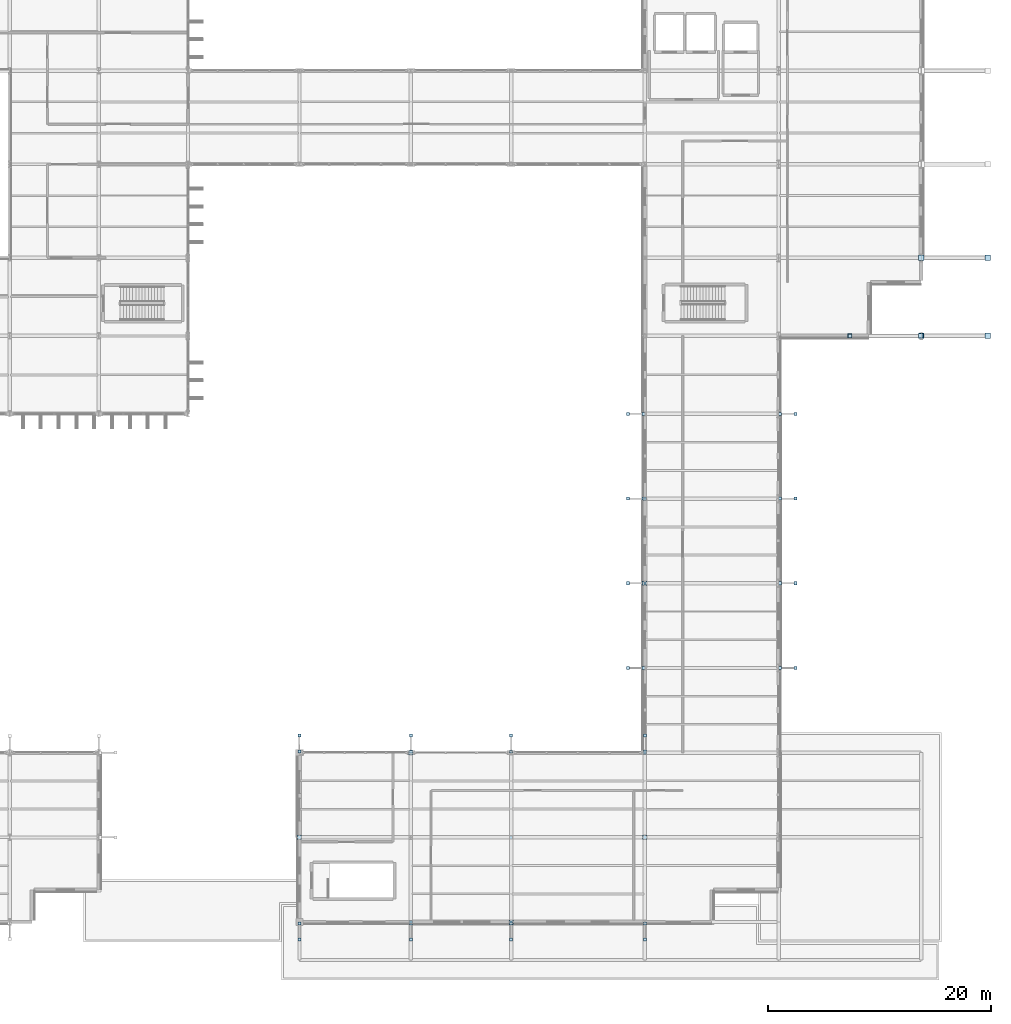
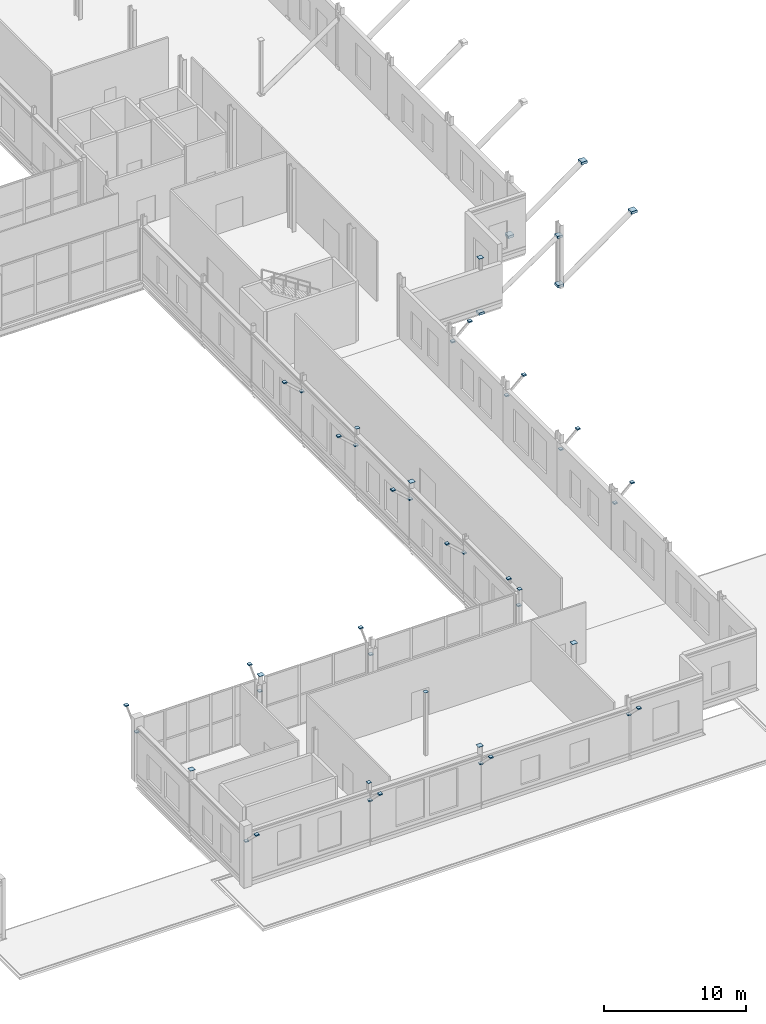
# One storey, part 111 of 147: 48 plates.
"""IFC4 building model written with IfcOpenShell, lengths in metres."""

import ifcopenshell
import ifcopenshell.guid

model = None  # the IFC model being written
_history = None  # IfcOwnerHistory: only IFC2X3 demands one
_inside = {}  # id of a spatial element -> (the spatial element, [elements in it])
_under = {}  # id of a project, library or spatial element -> (it, [spatial elements below it])
_declared = {}  # id of a project -> (the project, [libraries it declares])
_typed = {}  # id of a type object -> (the type object, [elements of that type])
_made_of = {}  # id of a material, layer set ... -> (it, [elements and type objects made of it])


def new_model(schema):
    """Start an empty IFC model of exactly this schema.

    Asked for "IFC4X3", IfcOpenShell would pick the latest addendum, in which some entities
    have other attributes; the version numbers below select the first issue.
    IFC2X3 requires an IfcOwnerHistory on every rooted entity: one is made here for all.
    """
    global model, _history
    if schema == "IFC4X3":
        model = ifcopenshell.file(schema_version=(4, 3, 0, 0))
    else:
        model = ifcopenshell.file(schema=schema)
    _inside.clear()
    _under.clear()
    _declared.clear()
    _typed.clear()
    _made_of.clear()
    _history = None
    if model.schema == "IFC2X3":
        org = make("IfcOrganization", Name="unknown")
        user = make(
            "IfcPersonAndOrganization",
            ThePerson=make("IfcPerson", FamilyName="unknown"),
            TheOrganization=org,
        )
        app = make(
            "IfcApplication",
            ApplicationDeveloper=org,
            Version="unknown",
            ApplicationFullName="unknown",
            ApplicationIdentifier="unknown",
        )
        _history = make(
            "IfcOwnerHistory",
            OwningUser=user,
            OwningApplication=app,
            ChangeAction="ADDED",
            CreationDate=0,
        )
    return model


def make(cls, **values):
    """One entity of the class cls with the attributes given. An attribute that is None is left unset."""
    return model.create_entity(
        cls, **{name: value for name, value in values.items() if value is not None}
    )


def rooted(cls, **values):
    """An entity with a GlobalId (a new one), such as an element, a storey or a relation."""
    return make(cls, GlobalId=ifcopenshell.guid.new(), OwnerHistory=_history, **values)


def si_unit(unit_type, name, prefix=None):
    """IfcSIUnit, for example si_unit("LENGTHUNIT", "METRE", prefix="MILLI")."""
    return make("IfcSIUnit", UnitType=unit_type, Prefix=prefix, Name=name)


def assignment(units):
    """IfcUnitAssignment: the units of a project."""
    return None if units is None else make("IfcUnitAssignment", Units=units)


def point(xyz):
    """IfcCartesianPoint."""
    return None if xyz is None else make("IfcCartesianPoint", Coordinates=xyz)


def direction(xyz):
    """IfcDirection."""
    return None if xyz is None else make("IfcDirection", DirectionRatios=xyz)


def frame(location, z_axis=None, x_axis=None):
    """IfcAxis2Placement3D, a coordinate frame: its origin and axes. An axis left out is left unset."""
    return make(
        "IfcAxis2Placement3D",
        Location=point(location),
        Axis=direction(z_axis),
        RefDirection=direction(x_axis),
    )


def frame_2d(location, x_axis=None):
    """IfcAxis2Placement2D, a coordinate frame in the plane: its origin and x axis."""
    return make(
        "IfcAxis2Placement2D", Location=point(location), RefDirection=direction(x_axis)
    )


def origin():
    """The frame at (0, 0, 0) with its axes left unset."""
    return frame((0.0, 0.0, 0.0))


def origin_2d():
    """The frame at (0, 0) in the plane with its x axis left unset."""
    return frame_2d((0.0, 0.0))


def place(relative_to, where):
    """IfcLocalPlacement: puts the frame where relative to a parent placement (None: the world)."""
    return make(
        "IfcLocalPlacement", PlacementRelTo=relative_to, RelativePlacement=where
    )


def context(
    kind, dimensions, precision=None, world=None, true_north=None, identifier=None
):
    """IfcGeometricRepresentationContext, for example the 3D "Model" context."""
    return make(
        "IfcGeometricRepresentationContext",
        ContextIdentifier=identifier,
        ContextType=kind,
        CoordinateSpaceDimension=dimensions,
        Precision=precision,
        WorldCoordinateSystem=world,
        TrueNorth=true_north,
    )


def subcontext(parent, identifier, kind, view, scale=None):
    """IfcGeometricRepresentationSubContext, for example "Body" below "Model"."""
    return make(
        "IfcGeometricRepresentationSubContext",
        ContextIdentifier=identifier,
        ContextType=kind,
        ParentContext=parent,
        TargetScale=scale,
        TargetView=view,
    )


def project(units=None, contexts=None):
    """IfcProject with its units and contexts."""
    return rooted(
        "IfcProject",
        Name="project",
        RepresentationContexts=contexts,
        UnitsInContext=assignment(units),
    )


def spatial(cls, under=None, at=None, **own):
    """A site, building, storey or space (cls), placed at a placement, below another one or the project."""
    s = rooted(cls, ObjectPlacement=at, **own)
    if under is not None:
        _under.setdefault(under.id(), (under, []))[1].append(s)
    return s


def profile(cls, at=None, kind="AREA", **sizes):
    """A parametric profile (cls). Its sizes go by their IFC names, for example OverallWidth=200.0."""
    return make(cls, ProfileType=kind, Position=at, **sizes)


def rectangle(**sizes):
    """IfcRectangleProfileDef."""
    return profile("IfcRectangleProfileDef", **sizes)


def extrude(swept, where, along, depth):
    """IfcExtrudedAreaSolid: the profile swept, set in the frame where, extruded along a direction by depth."""
    return make(
        "IfcExtrudedAreaSolid",
        SweptArea=swept,
        Position=where,
        ExtrudedDirection=direction(along),
        Depth=depth,
    )


def shape(context_of_items, identifier, shape_type, items):
    """IfcShapeRepresentation: the items that make up one representation, for example the "Body"."""
    return make(
        "IfcShapeRepresentation",
        ContextOfItems=context_of_items,
        RepresentationIdentifier=identifier,
        RepresentationType=shape_type,
        Items=items,
    )


def material(Name=None, Category=None):
    """IfcMaterial."""
    return make("IfcMaterial", Name=Name, Category=Category)


def layer(
    of_material, thickness, ventilated=None, Name=None, Category=None, Priority=None
):
    """IfcMaterialLayer: one layer of a wall or slab, of a material (None: an air gap)."""
    return make(
        "IfcMaterialLayer",
        Material=of_material,
        LayerThickness=thickness,
        IsVentilated=ventilated,
        Name=Name,
        Category=Category,
        Priority=Priority,
    )


def layer_set(layers, Name=None):
    """IfcMaterialLayerSet."""
    return make("IfcMaterialLayerSet", MaterialLayers=layers, LayerSetName=Name)


def made_of(thing, what):
    """Note that an element or type object is made of a material, layer set ...; save() writes the relation."""
    if what is not None:
        _made_of.setdefault(what.id(), (what, []))[1].append(thing)
    return thing


def type_object(cls, material=None, **own):
    """A type object (cls), such as IfcWallType, which elements share."""
    return made_of(rooted(cls, **own), material)


def element(
    cls,
    number,
    at=None,
    inside=None,
    cuts=None,
    type_object=None,
    material=None,
    context=None,
    identifier="Body",
    shape_type=None,
    held_by="IfcProductDefinitionShape",
    body=None,
    shapes=None,
    **own,
):
    """One element of the class cls, such as IfcWall. Its Tag is "e" and its number.

    at: its placement. inside: the storey or other place that contains it. cuts: it is an
    opening in that element (IfcRelVoidsElement). A single representation is given by context,
    identifier, shape_type and body (its items); several are given by shapes. held_by: the class
    of the entity that holds the representations. save() writes the other relations.
    """
    e = rooted(cls, Tag="e%d" % number, ObjectPlacement=at, **own)
    if body is not None:
        shapes = [shape(context, identifier, shape_type, body)]
    if shapes is not None:
        e.Representation = make(held_by, Representations=shapes)
    if inside is not None:
        _inside.setdefault(inside.id(), (inside, []))[1].append(e)
    if cuts is not None:
        rooted(
            "IfcRelVoidsElement", RelatingBuildingElement=cuts, RelatedOpeningElement=e
        )
    if type_object is not None:
        _typed.setdefault(type_object.id(), (type_object, []))[1].append(e)
    return made_of(e, material)


def aggregate(whole, parts):
    """IfcRelAggregates: a whole, such as a stair, and the parts it consists of."""
    return rooted("IfcRelAggregates", RelatingObject=whole, RelatedObjects=parts)


def save(model, path):
    """Write the relations noted so far, then the file.

    IfcRelAggregates (storeys below a building ...), IfcRelContainedInSpatialStructure (elements
    in a storey), IfcRelDefinesByType, IfcRelAssociatesMaterial and IfcRelDeclares: one each for
    every whole, place, type object, material and project.
    """
    for whole, parts in _under.values():
        aggregate(whole, parts)
    for where, things in _inside.values():
        rooted(
            "IfcRelContainedInSpatialStructure",
            RelatedElements=things,
            RelatingStructure=where,
        )
    for kind, things in _typed.values():
        rooted("IfcRelDefinesByType", RelatedObjects=things, RelatingType=kind)
    for what, things in _made_of.values():
        rooted("IfcRelAssociatesMaterial", RelatedObjects=things, RelatingMaterial=what)
    for by, libraries in _declared.values():
        rooted("IfcRelDeclares", RelatingContext=by, RelatedDefinitions=libraries)
    model.write(path)


model = new_model("IFC4")

# Units and contexts
model_context = context("Model", 3, precision=1e-05, world=origin(), true_north=direction((0.0, 1.0)))
body_context = subcontext(model_context, "Body", "Model", "MODEL_VIEW")
ifc_project = project(units=[si_unit("LENGTHUNIT", "METRE"), si_unit("AREAUNIT", "SQUARE_METRE"), si_unit("VOLUMEUNIT", "CUBIC_METRE"), si_unit("PLANEANGLEUNIT", "RADIAN"), si_unit("MASSUNIT", "GRAM", prefix="KILO")], contexts=[model_context])

# Site, building, storey
site_placement = place(None, origin())
site = spatial("IfcSite", under=ifc_project, at=site_placement, CompositionType="ELEMENT")
building_placement = place(site_placement, origin())
building = spatial("IfcBuilding", under=site, at=building_placement, Name="Vekula Escarpment Museum", CompositionType="ELEMENT")
storey_placement = place(building_placement, frame((0.0, 0.0, 7.800048828125)))
storey = spatial("IfcBuildingStorey", under=building, at=storey_placement, Name="L02", CompositionType="ELEMENT", Elevation=7.800048828125)

# Plates
ifc_material_1 = material(Name="Steel S355", Category="steel")
ifc_layer_1 = layer(ifc_material_1, 0.01611328125)
ifc_layer_set_1 = layer_set([ifc_layer_1], Name="Steel S355")
plate_type_1 = type_object("IfcPlateType", Name="PL-CAP-16", PredefinedType="SHEET", material=ifc_layer_set_1)
for number, where, z_axis, x_axis, name in (
    (1, (166.88525390625, 22.800048828125, 3.89404296875), (0.0, 0.0, 1.0), (1.0, 0.0, 0.0), "Hollow section end cap CP-16"),
    (2, (165.49462890625, 22.800048828125, 5.163818359375), (0.0, 0.0, 1.0), (1.0, 0.0, 0.0), "Hollow section end cap CP-16"),
    (3, (166.88525390625, 30.39990234375, 3.89404296875), (0.0, 0.0, 1.0), (1.0, 0.0, 0.0), "Hollow section end cap CP-16"),
    (4, (165.49462890625, 30.39990234375, 5.163818359375), (0.0, 0.0, 1.0), (1.0, 0.0, 0.0), "Hollow section end cap CP-16"),
    (5, (166.88525390625, 38.0, 3.89404296875), (0.0, 0.0, 1.0), (1.0, 0.0, 0.0), "Hollow section end cap CP-16"),
    (6, (165.49462890625, 38.0, 5.163818359375), (0.0, 0.0, 1.0), (1.0, 0.0, 0.0), "Hollow section end cap CP-16"),
    (7, (166.88525390625, 45.60009765625, 3.89404296875), (0.0, 0.0, 1.0), (1.0, 0.0, 0.0), "Hollow section end cap CP-16"),
    (8, (165.49462890625, 45.60009765625, 5.163818359375), (0.0, 0.0, 1.0), (1.0, 0.0, 0.0), "Hollow section end cap CP-16"),
    (9, (179.11474609375, 22.800048828125, 3.89404296875), (0.0, 0.0, 1.0), (1.0, 0.0, 0.0), "Hollow section end cap CP-16"),
    (10, (180.50537109375, 22.800048828125, 5.163818359375), (0.0, 0.0, 1.0), (1.0, 0.0, 0.0), "Hollow section end cap CP-16"),
    (11, (179.11474609375, 30.39990234375, 3.89404296875), (0.0, 0.0, 1.0), (1.0, 0.0, 0.0), "Hollow section end cap CP-16"),
    (12, (180.50537109375, 30.39990234375, 5.163818359375), (0.0, 0.0, 1.0), (1.0, 0.0, 0.0), "Hollow section end cap CP-16"),
    (13, (179.11474609375, 38.0, 3.89404296875), (0.0, 0.0, 1.0), (1.0, 0.0, 0.0), "Hollow section end cap CP-16"),
    (14, (180.50537109375, 38.0, 5.163818359375), (0.0, 0.0, 1.0), (1.0, 0.0, 0.0), "Hollow section end cap CP-16"),
    (15, (179.11474609375, 45.60009765625, 3.89404296875), (0.0, 0.0, 1.0), (1.0, 0.0, 0.0), "Hollow section end cap CP-16"),
    (16, (180.50537109375, 45.60009765625, 5.163818359375), (0.0, 0.0, 1.0), (1.0, 0.0, 0.0), "Hollow section end cap CP-16"),
):
    element("IfcPlate", number, at=place(storey_placement, frame(where, z_axis=z_axis, x_axis=x_axis)), inside=storey, type_object=plate_type_1, Name=name, PredefinedType="SHEET", context=body_context, shape_type="SweptSolid", body=[
        extrude(rectangle(XDim=0.280029296875, YDim=0.280029296875, at=origin_2d()), origin(), (0.0, 0.0, 1.0), 0.10205078125),
    ])
for number, where, z_axis, x_axis, name in (
    (17, (136.0, -0.11474609375, 3.897216796875), (0.0, 0.0, 1.0), (1.0, 0.0, 0.0), "Hollow section end cap CP-16"),
    (18, (136.0, -1.55517578125, 5.307373046875), (0.0, 0.0, 1.0), (1.0, 0.0, 0.0), "Hollow section end cap CP-16"),
    (19, (136.0, 15.31494140625, 3.897216796875), (0.0, 0.0, 1.0), (1.0, 0.0, 0.0), "Hollow section end cap CP-16"),
    (20, (136.0, 16.755126953125, 5.307373046875), (0.0, 0.0, 1.0), (1.0, 0.0, 0.0), "Hollow section end cap CP-16"),
    (21, (146.0, -0.11474609375, 3.897216796875), (0.0, 0.0, 1.0), (1.0, 0.0, 0.0), "Hollow section end cap CP-16"),
    (22, (146.0, -1.55517578125, 5.307373046875), (0.0, 0.0, 1.0), (1.0, 0.0, 0.0), "Hollow section end cap CP-16"),
    (23, (146.0, 15.31494140625, 3.897216796875), (0.0, 0.0, 1.0), (1.0, 0.0, 0.0), "Hollow section end cap CP-16"),
    (24, (146.0, 16.755126953125, 5.307373046875), (0.0, 0.0, 1.0), (1.0, 0.0, 0.0), "Hollow section end cap CP-16"),
    (25, (155.0, -0.11474609375, 3.897216796875), (0.0, 0.0, 1.0), (1.0, 0.0, 0.0), "Hollow section end cap CP-16"),
    (26, (155.0, -1.55517578125, 5.307373046875), (0.0, 0.0, 1.0), (1.0, 0.0, 0.0), "Hollow section end cap CP-16"),
    (27, (155.0, 15.31494140625, 3.897216796875), (0.0, 0.0, 1.0), (1.0, 0.0, 0.0), "Hollow section end cap CP-16"),
    (28, (155.0, 16.755126953125, 5.307373046875), (0.0, 0.0, 1.0), (1.0, 0.0, 0.0), "Hollow section end cap CP-16"),
    (29, (167.0, -0.11474609375, 3.897216796875), (0.0, 0.0, 1.0), (1.0, 0.0, 0.0), "Hollow section end cap CP-16"),
    (30, (167.0, -1.55517578125, 5.307373046875), (0.0, 0.0, 1.0), (1.0, 0.0, 0.0), "Hollow section end cap CP-16"),
    (31, (167.0, 15.31494140625, 3.897216796875), (0.0, 0.0, 1.0), (1.0, 0.0, 0.0), "Hollow section end cap CP-16"),
    (32, (167.0, 16.755126953125, 5.307373046875), (0.0, 0.0, 1.0), (1.0, 0.0, 0.0), "Hollow section end cap CP-16"),
):
    element("IfcPlate", number, at=place(storey_placement, frame(where, z_axis=z_axis, x_axis=x_axis)), inside=storey, type_object=plate_type_1, Name=name, PredefinedType="SHEET", context=body_context, shape_type="SweptSolid", body=[
        extrude(rectangle(XDim=0.280029296875, YDim=0.280029296875, at=origin_2d()), origin(), (0.0, 0.0, 1.0), 0.09521484375),
    ])
ifc_material_2 = material(Name="Steel S355", Category="steel")
ifc_layer_2 = layer(ifc_material_2, 0.02001953125)
ifc_layer_set_2 = layer_set([ifc_layer_2], Name="Steel S355")
plate_type_2 = type_object("IfcPlateType", Name="PL-CAP-20", PredefinedType="SHEET", material=ifc_layer_set_2)
plate_1_placement = place(storey_placement, frame((136.0, 7.60009765625, 5.39794921875), z_axis=(0.0, 0.0, 1.0), x_axis=(1.0, 0.0, 0.0)))
element("IfcPlate", 33, at=plate_1_placement, inside=storey, type_object=plate_type_2, Name="Hollow section end cap CP-20", PredefinedType="SHEET", context=body_context, shape_type="SweptSolid", body=[
    extrude(rectangle(XDim=0.3955078125, YDim=0.3955078125, at=origin_2d()), origin(), (0.0, 0.0, 1.0), 0.02001953125),
])
plate_2_placement = place(storey_placement, frame((146.0, 0.0, 5.39794921875), z_axis=(0.0, 0.0, 1.0), x_axis=(1.0, 0.0, 0.0)))
element("IfcPlate", 34, at=plate_2_placement, inside=storey, type_object=plate_type_2, Name="Hollow section end cap CP-20", PredefinedType="SHEET", context=body_context, shape_type="SweptSolid", body=[
    extrude(rectangle(XDim=0.300048828125, YDim=0.300048828125, at=origin_2d()), origin(), (0.0, 0.0, 1.0), 0.02001953125),
])
for number, where, z_axis, x_axis, name in (
    (35, (146.0, 15.199951171875, 5.39794921875), (0.0, 0.0, 1.0), (1.0, 0.0, 0.0), "Hollow section end cap CP-20"),
    (36, (155.0, 0.0, 5.39794921875), (0.0, 0.0, 1.0), (1.0, 0.0, 0.0), "Hollow section end cap CP-20"),
):
    element("IfcPlate", number, at=place(storey_placement, frame(where, z_axis=z_axis, x_axis=x_axis)), inside=storey, type_object=plate_type_2, Name=name, PredefinedType="SHEET", context=body_context, shape_type="SweptSolid", body=[
        extrude(rectangle(XDim=0.3955078125, YDim=0.3955078125, at=origin_2d()), origin(), (0.0, 0.0, 1.0), 0.02001953125),
    ])
plate_3_placement = place(storey_placement, frame((155.0, 7.60009765625, 5.39794921875), z_axis=(0.0, 0.0, 1.0), x_axis=(1.0, 0.0, 0.0)))
element("IfcPlate", 37, at=plate_3_placement, inside=storey, type_object=plate_type_2, Name="Hollow section end cap CP-20", PredefinedType="SHEET", context=body_context, shape_type="SweptSolid", body=[
    extrude(rectangle(XDim=0.300048828125, YDim=0.300048828125, at=origin_2d()), origin(), (0.0, 0.0, 1.0), 0.02001953125),
])
plate_4_placement = place(storey_placement, frame((167.0, 7.60009765625, 5.39794921875), z_axis=(0.0, 0.0, 1.0), x_axis=(1.0, 0.0, 0.0)))
element("IfcPlate", 38, at=plate_4_placement, inside=storey, type_object=plate_type_2, Name="Hollow section end cap CP-20", PredefinedType="SHEET", context=body_context, shape_type="SweptSolid", body=[
    extrude(rectangle(XDim=0.3955078125, YDim=0.3955078125, at=origin_2d()), origin(), (0.0, 0.0, 1.0), 0.02001953125),
])
plate_5_placement = place(storey_placement, frame((167.0, 15.199951171875, 5.39794921875), z_axis=(0.0, 0.0, 1.0), x_axis=(1.0, 0.0, 0.0)))
element("IfcPlate", 39, at=plate_5_placement, inside=storey, type_object=plate_type_2, Name="Hollow section end cap CP-20", PredefinedType="SHEET", context=body_context, shape_type="SweptSolid", body=[
    extrude(rectangle(XDim=0.300048828125, YDim=0.300048828125, at=origin_2d()), origin(), (0.0, 0.0, 1.0), 0.02001953125),
])
plate_6_placement = place(storey_placement, frame((167.0, 30.39990234375, 5.39794921875), z_axis=(0.0, 0.0, 1.0), x_axis=(1.0, 0.0, 0.0)))
element("IfcPlate", 40, at=plate_6_placement, inside=storey, type_object=plate_type_2, Name="Hollow section end cap CP-20", PredefinedType="SHEET", context=body_context, shape_type="SweptSolid", body=[
    extrude(rectangle(XDim=0.3955078125, YDim=0.3955078125, at=origin_2d()), origin(), (0.0, 0.0, 1.0), 0.02001953125),
])
plate_7_placement = place(storey_placement, frame((167.0, 38.0, 5.39794921875), z_axis=(0.0, 0.0, 1.0), x_axis=(1.0, 0.0, 0.0)))
element("IfcPlate", 41, at=plate_7_placement, inside=storey, type_object=plate_type_2, Name="Hollow section end cap CP-20", PredefinedType="SHEET", context=body_context, shape_type="SweptSolid", body=[
    extrude(rectangle(XDim=0.300048828125, YDim=0.300048828125, at=origin_2d()), origin(), (0.0, 0.0, 1.0), 0.02001953125),
])
ifc_material_3 = material(Name="Steel S355", Category="steel")
ifc_layer_3 = layer(ifc_material_3, 0.02392578125)
ifc_layer_set_3 = layer_set([ifc_layer_3], Name="Steel S355")
plate_type_3 = type_object("IfcPlateType", Name="PL-CAP-24", PredefinedType="SHEET", material=ifc_layer_set_3)
for number, where, z_axis, x_axis, name in (
    (42, (191.811279296875, 52.60009765625, 0.0361328125), (0.0, 0.0, 1.0), (1.0, 0.0, 0.0), "Hollow section end cap CP-24"),
    (43, (197.7587890625, 52.60009765625, 4.27880859375), (0.0, 0.0, 1.0), (1.0, 0.0, 0.0), "Hollow section end cap CP-24"),
    (44, (191.811279296875, 59.60009765625, 0.0361328125), (0.0, 0.0, 1.0), (1.0, 0.0, 0.0), "Hollow section end cap CP-24"),
    (45, (197.7587890625, 59.60009765625, 4.27880859375), (0.0, 0.0, 1.0), (1.0, 0.0, 0.0), "Hollow section end cap CP-24"),
):
    element("IfcPlate", number, at=place(storey_placement, frame(where, z_axis=z_axis, x_axis=x_axis)), inside=storey, type_object=plate_type_3, Name=name, PredefinedType="SHEET", context=body_context, shape_type="SweptSolid", body=[
        extrude(rectangle(XDim=0.47998046875, YDim=0.47998046875, at=origin_2d()), origin(), (0.0, 0.0, 1.0), 0.215087890625),
    ])
for number, where, z_axis, x_axis, name in (
    (46, (185.39111328125, 52.60009765625, -0.08447265625), (0.0, 0.0, 1.0), (1.0, 0.0, 0.0), "Hollow section end cap CP-24"),
    (47, (191.759033203125, 52.60009765625, 4.25732421875), (0.0, 0.0, 1.0), (1.0, 0.0, 0.0), "Hollow section end cap CP-24"),
):
    element("IfcPlate", number, at=place(storey_placement, frame(where, z_axis=z_axis, x_axis=x_axis)), inside=storey, type_object=plate_type_3, Name=name, PredefinedType="SHEET", context=body_context, shape_type="SweptSolid", body=[
        extrude(rectangle(XDim=0.419921875, YDim=0.419921875, at=origin_2d()), origin(), (0.0, 0.0, 1.0), 0.197021484375),
    ])
ifc_material_4 = material(Name="Steel S355", Category="steel")
ifc_layer_4 = layer(ifc_material_4, 0.031982421875)
ifc_layer_set_4 = layer_set([ifc_layer_4], Name="Steel S355")
plate_type_4 = type_object("IfcPlateType", Name="PL-CAP-32", PredefinedType="SHEET", material=ifc_layer_set_4)
plate_8_placement = place(storey_placement, frame((185.39990234375, 52.60009765625, 4.6982421875), z_axis=(0.0, 0.0, 1.0), x_axis=(1.0, 0.0, 0.0)))
element("IfcPlate", 48, at=plate_8_placement, inside=storey, type_object=plate_type_4, Name="Hollow section end cap GP-32", PredefinedType="SHEET", context=body_context, shape_type="SweptSolid", body=[
    extrude(rectangle(XDim=0.3798828125, YDim=0.3798828125, at=origin_2d()), origin(), (0.0, 0.0, 1.0), 0.031982421875),
])

save(model, "model.ifc")
